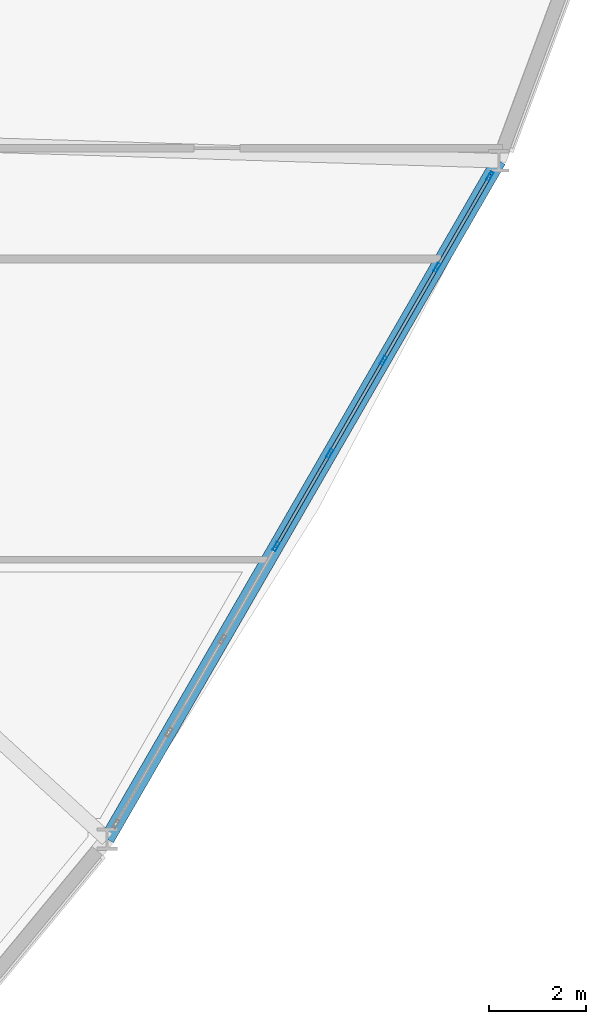
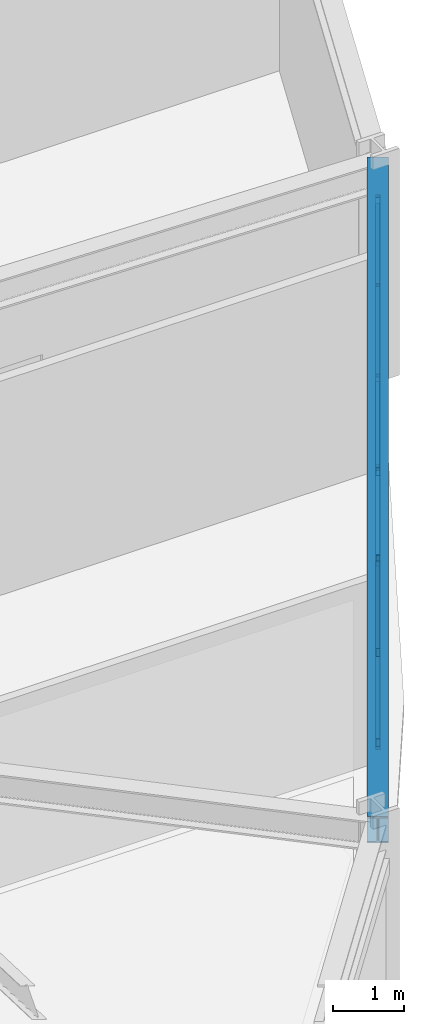
# One storey, part 9 of 21: 15 members, 1 beam, 1 element without a shape of its own.
"""IFC4 building model written with IfcOpenShell, lengths in metres."""

from ifc_helpers import new_model, si_unit, derived_unit, direction, frame, origin, origin_2d, place, context, subcontext, project, spatial, hollow_rectangle, i_section, extrude, source, transform, mapped, material, layer, layer_set, material_profile, profile_set, type_object, element, aggregate, save


model = new_model("IFC4")

# Units and contexts
model_context = context("Model", 3, precision=1e-05, world=origin(), true_north=direction((0.0, 1.0)))
body_context = subcontext(model_context, "Body", "Model", "MODEL_VIEW")
ifc_project = project(units=[si_unit("LENGTHUNIT", "METRE"), si_unit("AREAUNIT", "SQUARE_METRE"), si_unit("VOLUMEUNIT", "CUBIC_METRE"), si_unit("PLANEANGLEUNIT", "RADIAN"), si_unit("MASSUNIT", "GRAM", prefix="KILO"), derived_unit("THERMALTRANSMITTANCEUNIT", [(si_unit("POWERUNIT", "WATT"), 1), (si_unit("LENGTHUNIT", "METRE"), -2), (si_unit("THERMODYNAMICTEMPERATUREUNIT", "KELVIN"), -1)])], contexts=[model_context])

# Site, building, storey
site_placement = place(None, origin())
site = spatial("IfcSite", under=ifc_project, at=site_placement, CompositionType="ELEMENT")
building_placement = place(site_placement, origin())
building = spatial("IfcBuilding", under=site, at=building_placement, Name="Korsvarv Bourse and Concert Hall", CompositionType="ELEMENT")
storey_placement = place(building_placement, frame((0.0, 0.0, 27.89990234375)))
storey = spatial("IfcBuildingStorey", under=building, at=storey_placement, Name="L06", CompositionType="ELEMENT", Elevation=27.89990234375)

# Beam
ifc_material_1 = material(Name="Steel S355", Category="steel")
ifc_material_profile_1 = material_profile(ifc_material_1, i_section(OverallWidth=0.300048828125, OverallDepth=0.449951171875, WebThickness=0.013916015625, FlangeThickness=0.02587890625, FilletRadius=0.02099609375, at=origin_2d()), Name="HEB 450")
ifc_profile_set_1 = profile_set([ifc_material_profile_1], Name="Steel S355")
beam_type = type_object("IfcBeamType", Name="BM-HEB450", PredefinedType="SPANDREL", material=ifc_profile_set_1)
shared_shape_1 = source(origin(), body_context, "Body", "SweptSolid", [
    extrude(i_section(OverallWidth=0.300048828125, OverallDepth=0.449951171875, WebThickness=0.013916015625, FlangeThickness=0.02587890625, FilletRadius=0.02099609375, at=origin_2d()), origin(), (0.0, 0.0, 1.0), 16.195068359375),
])
beam_placement = place(storey_placement, frame((50.93212890625, 18.02880859375, 3.455078125), z_axis=(0.499993009725, 0.866029439584, 0.0), x_axis=(-0.866029439584, 0.499993009725, 0.0)))
element("IfcBeam", 1, at=beam_placement, inside=storey, type_object=beam_type, Name="L06 beam B-08", PredefinedType="SPANDREL", context=body_context, shape_type="MappedRepresentation", body=[
    mapped(shared_shape_1, transform((0.0, 0.0, 0.0), scale=1.0)),
])

# Curtain wall, members
ifc_material_2 = material(Name="Anodised aluminium and triple low-E glazing", Category="glass")
ifc_layer = layer(ifc_material_2, 0.219970703125)
ifc_layer_set = layer_set([ifc_layer], Name="Anodised aluminium and triple low-E glazing")
curtain_wall_type = type_object("IfcCurtainWallType", Name="CW-SYS-1", PredefinedType="NOTDEFINED", material=ifc_layer_set)
curtain_wall_placement = place(storey_placement, origin())
curtain_wall = element("IfcCurtainWall", 2, at=curtain_wall_placement, inside=storey, type_object=curtain_wall_type, Name="L06 CW1 curtain wall CW-L06-F11", PredefinedType="NOTDEFINED")
ifc_material_3 = material(Name="Extruded aluminium EN AW-6063 T66", Category="aluminium")
ifc_material_profile_2 = material_profile(ifc_material_3, hollow_rectangle(XDim=0.070068359375, YDim=0.18994140625, WallThickness=0.0048828125, at=origin_2d()), Name="ALU-M 70x190")
ifc_profile_set_2 = profile_set([ifc_material_profile_2], Name="Extruded aluminium EN AW-6063 T66")
member_type_1 = type_object("IfcMemberType", Name="CWM-190", PredefinedType="MULLION", material=ifc_profile_set_2)
shared_shape_2 = source(origin(), body_context, "Body", "SweptSolid", [
    extrude(hollow_rectangle(XDim=0.070068359375, YDim=0.18994140625, WallThickness=0.0048828125, at=origin_2d()), origin(), (0.0, 0.0, 1.0), 3.22998046875),
])
member_1_placement = place(storey_placement, frame((54.426025390625, 24.08056640625, 0.0), z_axis=(0.0, 0.0, 1.0), x_axis=(-0.866028517121, 0.499994607504, 0.0)))
member_1 = element("IfcMember", 3, at=member_1_placement, type_object=member_type_1, Name="CW1 mullion 4", PredefinedType="MULLION", context=body_context, shape_type="MappedRepresentation", body=[
    mapped(shared_shape_2, transform((0.0, 0.0, 0.0), scale=1.0)),
])
member_2_placement = place(storey_placement, frame((55.535400390625, 26.002197265625, 0.0), z_axis=(0.0, 0.0, 1.0), x_axis=(-0.866028517121, 0.499994607504, 0.0)))
member_2 = element("IfcMember", 4, at=member_2_placement, type_object=member_type_1, Name="CW1 mullion 5", PredefinedType="MULLION", context=body_context, shape_type="MappedRepresentation", body=[
    mapped(shared_shape_2, transform((0.0, 0.0, 0.0), scale=1.0)),
])
member_3_placement = place(storey_placement, frame((56.64501953125, 27.923828125, 0.0), z_axis=(0.0, 0.0, 1.0), x_axis=(-0.866028517121, 0.499994607504, 0.0)))
member_3 = element("IfcMember", 5, at=member_3_placement, type_object=member_type_1, Name="CW1 mullion 6", PredefinedType="MULLION", context=body_context, shape_type="MappedRepresentation", body=[
    mapped(shared_shape_2, transform((0.0, 0.0, 0.0), scale=1.0)),
])
member_4_placement = place(storey_placement, frame((57.75439453125, 29.845458984375, 0.0), z_axis=(0.0, 0.0, 1.0), x_axis=(-0.866028517121, 0.499994607504, 0.0)))
member_4 = element("IfcMember", 6, at=member_4_placement, type_object=member_type_1, Name="CW1 mullion 7", PredefinedType="MULLION", context=body_context, shape_type="MappedRepresentation", body=[
    mapped(shared_shape_2, transform((0.0, 0.0, 0.0), scale=1.0)),
])
member_5_placement = place(storey_placement, frame((58.84619140625, 31.73681640625, 0.0), z_axis=(0.0, 0.0, 1.0), x_axis=(-0.866028517121, 0.499994607504, 0.0)))
member_5 = element("IfcMember", 7, at=member_5_placement, type_object=member_type_1, Name="CW1 mullion 8", PredefinedType="MULLION", context=body_context, shape_type="MappedRepresentation", body=[
    mapped(shared_shape_2, transform((0.0, 0.0, 0.0), scale=1.0)),
])
ifc_material_profile_3 = material_profile(ifc_material_3, hollow_rectangle(XDim=0.06494140625, YDim=0.139892578125, WallThickness=0.00390625, at=origin_2d()), Name="ALU-T 65x140")
ifc_profile_set_3 = profile_set([ifc_material_profile_3], Name="Extruded aluminium EN AW-6063 T66")
member_type_2 = type_object("IfcMemberType", Name="CWT-140", PredefinedType="USERDEFINED", material=ifc_profile_set_3)
shared_shape_3 = source(origin(), body_context, "Body", "SweptSolid", [
    extrude(hollow_rectangle(XDim=0.06494140625, YDim=0.139892578125, WallThickness=0.00390625, at=origin_2d()), origin(), (0.0, 0.0, 1.0), 2.114013671875),
])
member_6_placement = place(storey_placement, frame((57.77197265625, 29.875732421875, 0.03271484375), z_axis=(0.499952388684, 0.866052890446, 0.0), x_axis=(-0.866052890446, 0.499952388684, 0.0)))
member_6 = element("IfcMember", 8, at=member_6_placement, type_object=member_type_2, Name="CW1 transom 7.1", ObjectType="TRANSOM", PredefinedType="USERDEFINED", context=body_context, shape_type="MappedRepresentation", body=[
    mapped(shared_shape_3, transform((0.0, 0.0, 0.0), scale=1.0)),
])
member_7_placement = place(storey_placement, frame((57.77197265625, 29.875732421875, 3.197509765625), z_axis=(0.499952388684, 0.866052890446, 0.0), x_axis=(-0.866052890446, 0.499952388684, 0.0)))
member_7 = element("IfcMember", 9, at=member_7_placement, type_object=member_type_2, Name="CW1 transom 7.2", ObjectType="TRANSOM", PredefinedType="USERDEFINED", context=body_context, shape_type="MappedRepresentation", body=[
    mapped(shared_shape_3, transform((0.0, 0.0, 0.0), scale=1.0)),
])
shared_shape_4 = source(origin(), body_context, "Body", "SweptSolid", [
    extrude(hollow_rectangle(XDim=0.06494140625, YDim=0.139892578125, WallThickness=0.00390625, at=origin_2d()), origin(), (0.0, 0.0, 1.0), 2.14892578125),
])
member_8_placement = place(storey_placement, frame((54.443603515625, 24.11083984375, 0.03271484375), z_axis=(0.499987977232, 0.866032345022, 0.0), x_axis=(-0.866032345022, 0.499987977232, 0.0)))
member_8 = element("IfcMember", 10, at=member_8_placement, type_object=member_type_2, Name="CW1 transom 4.1", ObjectType="TRANSOM", PredefinedType="USERDEFINED", context=body_context, shape_type="MappedRepresentation", body=[
    mapped(shared_shape_4, transform((0.0, 0.0, 0.0), scale=1.0)),
])
member_9_placement = place(storey_placement, frame((54.443603515625, 24.11083984375, 3.197509765625), z_axis=(0.499987977232, 0.866032345022, 0.0), x_axis=(-0.866032345022, 0.499987977232, 0.0)))
member_9 = element("IfcMember", 11, at=member_9_placement, type_object=member_type_2, Name="CW1 transom 4.2", ObjectType="TRANSOM", PredefinedType="USERDEFINED", context=body_context, shape_type="MappedRepresentation", body=[
    mapped(shared_shape_4, transform((0.0, 0.0, 0.0), scale=1.0)),
])
member_10_placement = place(storey_placement, frame((55.552978515625, 26.032470703125, 0.03271484375), z_axis=(0.499987977232, 0.866032345022, 0.0), x_axis=(-0.866032345022, 0.499987977232, 0.0)))
member_10 = element("IfcMember", 12, at=member_10_placement, type_object=member_type_2, Name="CW1 transom 5.1", ObjectType="TRANSOM", PredefinedType="USERDEFINED", context=body_context, shape_type="MappedRepresentation", body=[
    mapped(shared_shape_4, transform((0.0, 0.0, 0.0), scale=1.0)),
])
member_11_placement = place(storey_placement, frame((55.552978515625, 26.032470703125, 3.197509765625), z_axis=(0.499987977232, 0.866032345022, 0.0), x_axis=(-0.866032345022, 0.499987977232, 0.0)))
member_11 = element("IfcMember", 13, at=member_11_placement, type_object=member_type_2, Name="CW1 transom 5.2", ObjectType="TRANSOM", PredefinedType="USERDEFINED", context=body_context, shape_type="MappedRepresentation", body=[
    mapped(shared_shape_4, transform((0.0, 0.0, 0.0), scale=1.0)),
])
member_12_placement = place(storey_placement, frame((56.662353515625, 27.9541015625, 0.03271484375), z_axis=(0.499987977232, 0.866032345022, 0.0), x_axis=(-0.866032345022, 0.499987977232, 0.0)))
member_12 = element("IfcMember", 14, at=member_12_placement, type_object=member_type_2, Name="CW1 transom 6.1", ObjectType="TRANSOM", PredefinedType="USERDEFINED", context=body_context, shape_type="MappedRepresentation", body=[
    mapped(shared_shape_4, transform((0.0, 0.0, 0.0), scale=1.0)),
])
member_13_placement = place(storey_placement, frame((56.662353515625, 27.9541015625, 3.197509765625), z_axis=(0.499987977232, 0.866032345022, 0.0), x_axis=(-0.866032345022, 0.499987977232, 0.0)))
member_13 = element("IfcMember", 15, at=member_13_placement, type_object=member_type_2, Name="CW1 transom 6.2", ObjectType="TRANSOM", PredefinedType="USERDEFINED", context=body_context, shape_type="MappedRepresentation", body=[
    mapped(shared_shape_4, transform((0.0, 0.0, 0.0), scale=1.0)),
])
ifc_material_profile_4 = material_profile(ifc_material_3, hollow_rectangle(XDim=0.06494140625, YDim=0.1650390625, WallThickness=0.0048828125, at=origin_2d()), Name="ALU-M 65x165")
ifc_profile_set_4 = profile_set([ifc_material_profile_4], Name="Extruded aluminium EN AW-6063 T66")
member_type_3 = type_object("IfcMemberType", Name="CWM-165", PredefinedType="MULLION", material=ifc_profile_set_4)
shared_shape_5 = source(origin(), body_context, "Body", "SweptSolid", [
    extrude(hollow_rectangle(XDim=0.06494140625, YDim=0.1650390625, WallThickness=0.0048828125, at=origin_2d()), origin(), (0.0, 0.0, 1.0), 3.751953125),
])
member_14_placement = place(storey_placement, frame((57.77197265625, 29.875732421875, 0.065185546875), z_axis=(0.281681098172, 0.487947922197, 0.826173458879), x_axis=(-0.866052890446, 0.499952388684, 0.0)))
member_14 = element("IfcMember", 16, at=member_14_placement, type_object=member_type_3, Name="CW1 diagonal mullion 7", PredefinedType="MULLION", context=body_context, shape_type="MappedRepresentation", body=[
    mapped(shared_shape_5, transform((0.0, 0.0, 0.0), scale=1.0)),
])
shared_shape_6 = source(origin(), body_context, "Body", "SweptSolid", [
    extrude(hollow_rectangle(XDim=0.06494140625, YDim=0.1650390625, WallThickness=0.0048828125, at=origin_2d()), origin(), (0.0, 0.0, 1.0), 3.77197265625),
])
member_15_placement = place(storey_placement, frame((55.51806640625, 25.971923828125, 0.065185546875), z_axis=(-0.28486019323, -0.493408146555, 0.821829100985), x_axis=(0.866032345022, -0.499987977232, 0.0)))
member_15 = element("IfcMember", 17, at=member_15_placement, type_object=member_type_3, Name="CW1 diagonal mullion 4", PredefinedType="MULLION", context=body_context, shape_type="MappedRepresentation", body=[
    mapped(shared_shape_6, transform((0.0, 0.0, 0.0), scale=1.0)),
])
aggregate(curtain_wall, [member_1, member_2, member_3, member_4, member_5, member_8, member_9, member_15, member_10, member_11, member_12, member_13, member_6, member_7, member_14])

save(model, "model.ifc")
